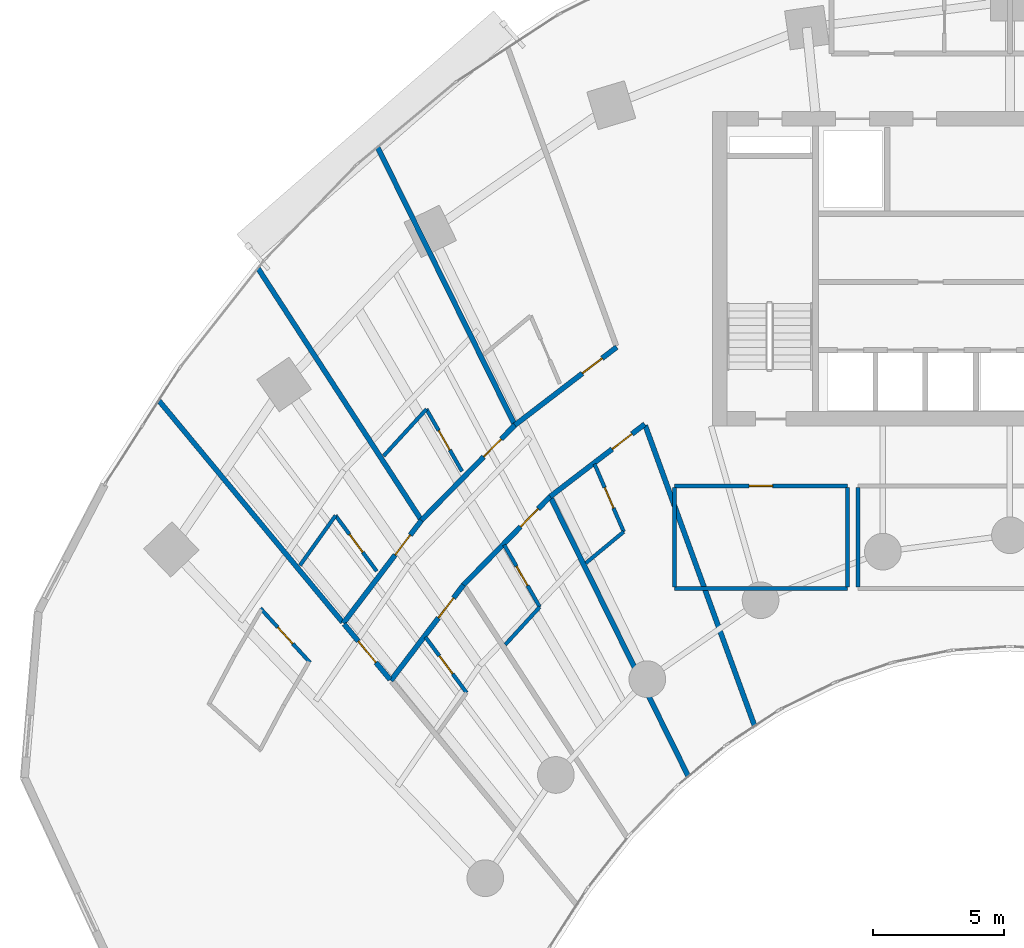
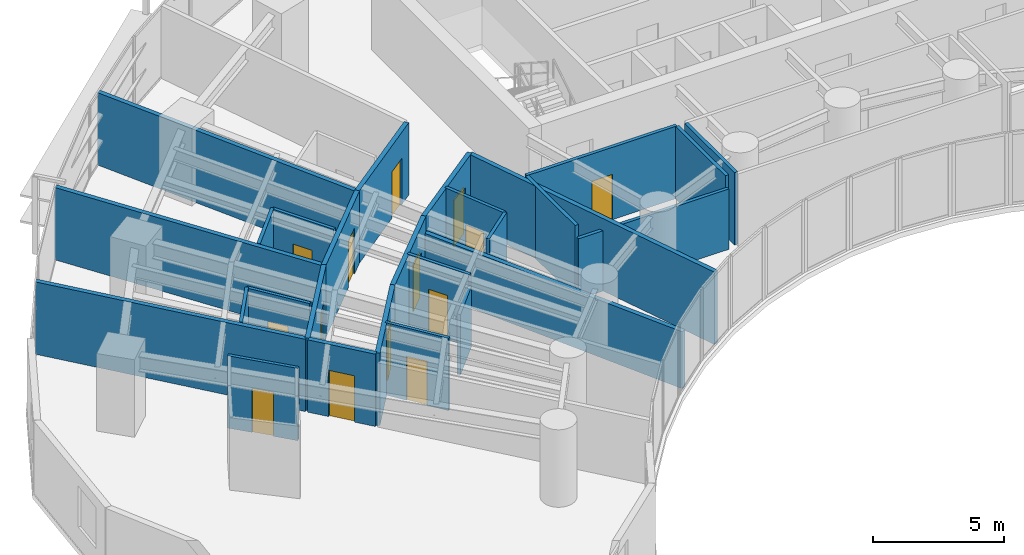
# One storey, part 11 of 18: 27 walls, 14 doors, 14 openings.
"""IFC4 building model written with IfcOpenShell, lengths in metres."""

from ifc_helpers import new_model, si_unit, direction, frame, frame_2d, origin, place, context, subcontext, project, spatial, rectangle, extrude, source, transform, mapped, material, layer, layer_set, type_object, type_shapes, element, fill, save


model = new_model("IFC4")

# Units and contexts
model_context = context("Model", 3, precision=1e-05, world=origin(), true_north=direction((0.0, 1.0)))
body_context = subcontext(model_context, "Body", "Model", "MODEL_VIEW")
ifc_project = project(units=[si_unit("LENGTHUNIT", "METRE"), si_unit("AREAUNIT", "SQUARE_METRE"), si_unit("VOLUMEUNIT", "CUBIC_METRE"), si_unit("PLANEANGLEUNIT", "RADIAN"), si_unit("MASSUNIT", "GRAM", prefix="KILO")], contexts=[model_context])

# Site, building, storey
site_placement = place(None, origin())
site = spatial("IfcSite", under=ifc_project, at=site_placement, CompositionType="ELEMENT")
building_placement = place(site_placement, origin())
building = spatial("IfcBuilding", under=site, at=building_placement, Name="Breltana Convention Tower", CompositionType="ELEMENT")
storey_placement = place(building_placement, frame((0.0, 0.0, 39.0)))
storey = spatial("IfcBuildingStorey", under=building, at=storey_placement, Name="L07", CompositionType="ELEMENT", Elevation=39.0)

# Wall
ifc_material_1 = material(Name="Gypsum Acoustic Drywall Partition")
ifc_layer_1 = layer(ifc_material_1, 0.14990234375, Name="Gypsum Acoustic Drywall Partition")
ifc_layer_set_1 = layer_set([ifc_layer_1], Name="Gypsum Acoustic Drywall Partition")
wall_type_1 = type_object("IfcWallType", Name="WL-PART-150", PredefinedType="PARTITIONING", material=ifc_layer_set_1)
shared_shape_1 = source(origin(), body_context, "Body", "SweptSolid", [
    extrude(rectangle(XDim=6.60009765625, YDim=0.14990234375, at=frame_2d((3.300048828125, 0.0))), origin(), (0.0, 0.0, 1.0), 2.802978515625),
])
wall_1_placement = place(storey_placement, frame((35.199951171875, 54.0, 0.0), z_axis=(0.0, 0.0, 1.0), x_axis=(1.0, 0.0, 0.0)))
element("IfcWall", 1, at=wall_1_placement, inside=storey, type_object=wall_type_1, Name="L07 interior partition W-L07-HSK-S", PredefinedType="PARTITIONING", context=body_context, shape_type="MappedRepresentation", body=[
    mapped(shared_shape_1, transform((0.0, 0.0, 0.0), scale=1.0)),
])

# Wall, opening, door
shared_shape_2 = source(origin(), body_context, "Body", "SweptSolid", [
    extrude(rectangle(XDim=6.60009765625, YDim=0.14990234375, at=frame_2d((3.300048828125, 0.0))), origin(), (0.0, 0.0, 1.0), 3.360107421875),
])
wall_2_placement = place(storey_placement, frame((35.199951171875, 57.919921875, 0.0), z_axis=(0.0, 0.0, 1.0), x_axis=(1.0, 0.0, 0.0)))
wall_2 = element("IfcWall", 2, at=wall_2_placement, inside=storey, type_object=wall_type_1, Name="L07 interior partition W-L07-HSK-N", PredefinedType="PARTITIONING", context=body_context, shape_type="MappedRepresentation", body=[
    mapped(shared_shape_2, transform((0.0, 0.0, 0.0), scale=1.0)),
])
opening_1_placement = place(wall_2_placement, frame((2.85009765625, 0.0, 0.0)))
opening_1 = element("IfcOpeningElement", 3, at=opening_1_placement, cuts=wall_2, Name="Opening D-18", PredefinedType="OPENING", context=body_context, shape_type="SweptSolid", body=[
    extrude(rectangle(XDim=0.89990234375, YDim=2.10009765625, at=frame_2d((0.449951171875, 1.050048828125))), frame((0.0, 0.0849609375, 0.0), z_axis=(0.0, -1.0, 0.0), x_axis=(1.0, 0.0, 0.0)), (0.0, 0.0, 1.0), 0.169921875),
])
ifc_material_2 = material(Name="Steel Riser Fire Door", Category="steel")
door_type_1 = type_object("IfcDoorType", Name="DR-FD60-900", OperationType="NOTDEFINED", PredefinedType="DOOR", material=ifc_material_2)
shared_shape_3 = source(origin(), body_context, "Body", "SweptSolid", [
    extrude(rectangle(XDim=0.89990234375, YDim=2.10009765625, at=frame_2d((0.449951171875, 1.050048828125))), frame((0.0, 0.02490234375, 0.0), z_axis=(0.0, -1.0, 0.0), x_axis=(1.0, 0.0, 0.0)), (0.0, 0.0, 1.0), 0.050048828125),
])
type_shapes(door_type_1, [shared_shape_3])
door_1_placement = place(opening_1_placement, origin())
door_1 = element("IfcDoor", 4, at=door_1_placement, inside=storey, type_object=door_type_1, Name="L07 interior door D-L07-HSK", OperationType="SINGLE_SWING_LEFT", OverallHeight=2.10009765625, OverallWidth=0.89990234375, PredefinedType="DOOR", context=body_context, shape_type="MappedRepresentation", body=[
    mapped(shared_shape_3, transform((0.0, 0.0, 0.0), scale=1.0)),
])
fill(opening_1, door_1)

# Walls
shared_shape_4 = source(origin(), body_context, "Body", "SweptSolid", [
    extrude(rectangle(XDim=3.78515625, YDim=0.14990234375, at=frame_2d((1.892578125, 0.0))), origin(), (0.0, 0.0, 1.0), 3.360107421875),
])
for number, where, z_axis, x_axis, name in (
    (5, (35.199951171875, 54.0673828125, 0.0), (0.0, 0.0, 1.0), (0.0, 1.0, 0.0), "L07 interior partition W-L07-HSK-W"),
    (6, (41.800048828125, 54.0673828125, 0.0), (0.0, 0.0, 1.0), (0.0, 1.0, 0.0), "L07 interior partition W-L07-HSK-E"),
    (7, (42.199951171875, 54.0673828125, 0.0), (0.0, 0.0, 1.0), (0.0, 1.0, 0.0), "L07 interior partition W-L07-HLG-W"),
):
    element("IfcWall", number, at=place(storey_placement, frame(where, z_axis=z_axis, x_axis=x_axis)), inside=storey, type_object=wall_type_1, Name=name, PredefinedType="PARTITIONING", context=body_context, shape_type="MappedRepresentation", body=[
        mapped(shared_shape_4, transform((0.0, 0.0, 0.0), scale=1.0)),
    ])

# Wall, opening, door
ifc_material_3 = material(Name="Gypsum Acoustic Hotel Wall")
ifc_layer_2 = layer(ifc_material_3, 0.195068359375, Name="Gypsum Acoustic Hotel Wall")
ifc_layer_set_2 = layer_set([ifc_layer_2], Name="Gypsum Acoustic Hotel Wall")
wall_type_2 = type_object("IfcWallType", Name="WL-HOTEL-200", PredefinedType="PARTITIONING", material=ifc_layer_set_2)
shared_shape_5 = source(origin(), body_context, "Body", "SweptSolid", [
    extrude(rectangle(XDim=4.927734375, YDim=0.195068359375, at=frame_2d((2.4638671875, 0.0))), origin(), (0.0, 0.0, 1.0), 3.360107421875),
])
wall_3_placement = place(storey_placement, frame((22.569580078125, 52.682861328125, 0.0), z_axis=(0.0, 0.0, 1.0), x_axis=(0.604793043708, 0.796382680803, 0.0)))
wall_3 = element("IfcWall", 8, at=wall_3_placement, inside=storey, type_object=wall_type_2, Name="L07 interior partition W-L07-HK01-COR", PredefinedType="PARTITIONING", context=body_context, shape_type="MappedRepresentation", body=[
    mapped(shared_shape_5, transform((0.0, 0.0, 0.0), scale=1.0)),
])
opening_2_placement = place(wall_3_placement, frame((3.27001953125, 0.0, 0.0)))
opening_2 = element("IfcOpeningElement", 9, at=opening_2_placement, cuts=wall_3, Name="Opening D-14", PredefinedType="OPENING", context=body_context, shape_type="SweptSolid", body=[
    extrude(rectangle(XDim=0.949951171875, YDim=2.14990234375, at=frame_2d((0.47509765625, 1.074951171875))), frame((0.0, 0.107421875, 0.0), z_axis=(0.0, -1.0, 0.0), x_axis=(1.0, 0.0, 0.0)), (0.0, 0.0, 1.0), 0.215087890625),
])
ifc_material_4 = material(Name="Timber Solid-Core Fire Door", Category="wood")
door_type_2 = type_object("IfcDoorType", Name="DR-FD60-950", OperationType="NOTDEFINED", PredefinedType="DOOR", material=ifc_material_4)
shared_shape_6 = source(origin(), body_context, "Body", "SweptSolid", [
    extrude(rectangle(XDim=0.949951171875, YDim=2.14990234375, at=frame_2d((0.47509765625, 1.074951171875))), frame((0.0, 0.02490234375, 0.0), z_axis=(0.0, -1.0, 0.0), x_axis=(1.0, 0.0, 0.0)), (0.0, 0.0, 1.0), 0.050048828125),
])
type_shapes(door_type_2, [shared_shape_6])
door_2_placement = place(opening_2_placement, origin())
door_2 = element("IfcDoor", 10, at=door_2_placement, inside=storey, type_object=door_type_2, Name="L07 interior door D-L07-HK01", OperationType="SINGLE_SWING_RIGHT", OverallHeight=2.14990234375, OverallWidth=0.949951171875, PredefinedType="DOOR", context=body_context, shape_type="MappedRepresentation", body=[
    mapped(shared_shape_6, transform((0.0, 0.0, 0.0), scale=1.0)),
])
fill(opening_2, door_2)

# Walls
shared_shape_7 = source(origin(), body_context, "Body", "SweptSolid", [
    extrude(rectangle(XDim=10.974609375, YDim=0.195068359375, at=frame_2d((5.4873046875, 0.0))), origin(), (0.0, 0.0, 1.0), 3.360107421875),
])
wall_4_placement = place(storey_placement, frame((22.539794921875, 52.71875, 0.0), z_axis=(0.0, 0.0, 1.0), x_axis=(-0.638125265812, 0.769932558821, 0.0)))
element("IfcWall", 11, at=wall_4_placement, inside=storey, type_object=wall_type_2, Name="L07 interior partition W-L07-HK01-RA", PredefinedType="PARTITIONING", context=body_context, shape_type="MappedRepresentation", body=[
    mapped(shared_shape_7, transform((0.0, 0.0, 0.0), scale=1.0)),
])
shared_shape_8 = source(origin(), body_context, "Body", "SweptSolid", [
    extrude(rectangle(XDim=11.402587890625, YDim=0.195068359375, at=frame_2d((5.701171875, 0.0))), origin(), (0.0, 0.0, 1.0), 3.360107421875),
])
wall_5_placement = place(storey_placement, frame((25.5234375, 56.6474609375, 0.0), z_axis=(0.0, 0.0, 1.0), x_axis=(-0.544246090008, 0.838925618581, 0.0)))
element("IfcWall", 12, at=wall_5_placement, inside=storey, type_object=wall_type_2, Name="L07 interior partition W-L07-HK01-RB", PredefinedType="PARTITIONING", context=body_context, shape_type="MappedRepresentation", body=[
    mapped(shared_shape_8, transform((0.0, 0.0, 0.0), scale=1.0)),
])
ifc_material_5 = material(Name="Moisture-Resistant En-Suite Partition")
ifc_layer_3 = layer(ifc_material_5, 0.139892578125, Name="Moisture-Resistant En-Suite Partition")
ifc_layer_set_3 = layer_set([ifc_layer_3], Name="Moisture-Resistant En-Suite Partition")
wall_type_3 = type_object("IfcWallType", Name="WL-WET-150", PredefinedType="PARTITIONING", material=ifc_layer_set_3)
shared_shape_9 = source(origin(), body_context, "Body", "SweptSolid", [
    extrude(rectangle(XDim=2.33740234375, YDim=0.139892578125, at=frame_2d((1.168701171875, 0.0))), origin(), (0.0, 0.0, 1.0), 3.360107421875),
])
wall_6_placement = place(storey_placement, frame((20.9150390625, 54.88623046875, 0.0), z_axis=(0.0, 0.0, 1.0), x_axis=(0.580862665959, 0.814001574504, 0.0)))
element("IfcWall", 13, at=wall_6_placement, inside=storey, type_object=wall_type_3, Name="L07 interior partition W-L07-HK01E-BK", PredefinedType="PARTITIONING", context=body_context, shape_type="MappedRepresentation", body=[
    mapped(shared_shape_9, transform((0.0, 0.0, 0.0), scale=1.0)),
])

# Wall, opening, door
shared_shape_10 = source(origin(), body_context, "Body", "SweptSolid", [
    extrude(rectangle(XDim=2.639892578125, YDim=0.139892578125, at=frame_2d((1.31982421875, 0.0))), origin(), (0.0, 0.0, 1.0), 3.360107421875),
])
wall_7_placement = place(storey_placement, frame((23.842529296875, 54.666259765625, 0.0), z_axis=(0.0, 0.0, 1.0), x_axis=(-0.594630255283, 0.803999290735, 0.0)))
wall_7 = element("IfcWall", 14, at=wall_7_placement, inside=storey, type_object=wall_type_3, Name="L07 interior partition W-L07-HK01E-SD", PredefinedType="PARTITIONING", context=body_context, shape_type="MappedRepresentation", body=[
    mapped(shared_shape_10, transform((0.0, 0.0, 0.0), scale=1.0)),
])
opening_3_placement = place(wall_7_placement, frame((0.89501953125, 0.0, 0.0)))
opening_3 = element("IfcOpeningElement", 15, at=opening_3_placement, cuts=wall_7, Name="Opening D-21", PredefinedType="OPENING", context=body_context, shape_type="SweptSolid", body=[
    extrude(rectangle(XDim=0.85009765625, YDim=2.050048828125, at=frame_2d((0.425048828125, 1.02490234375))), frame((0.0, 0.080078125, 0.0), z_axis=(0.0, -1.0, 0.0), x_axis=(1.0, 0.0, 0.0)), (0.0, 0.0, 1.0), 0.159912109375),
])
ifc_material_6 = material(Name="Timber Moisture-Resistant En-Suite Door", Category="wood")
door_type_3 = type_object("IfcDoorType", Name="DR-WET-850", OperationType="NOTDEFINED", PredefinedType="DOOR", material=ifc_material_6)
shared_shape_11 = source(origin(), body_context, "Body", "SweptSolid", [
    extrude(rectangle(XDim=0.85009765625, YDim=2.050048828125, at=frame_2d((0.425048828125, 1.02490234375))), frame((0.0, 0.02490234375, 0.0), z_axis=(0.0, -1.0, 0.0), x_axis=(1.0, 0.0, 0.0)), (0.0, 0.0, 1.0), 0.050048828125),
])
type_shapes(door_type_3, [shared_shape_11])
door_3_placement = place(opening_3_placement, origin())
door_3 = element("IfcDoor", 16, at=door_3_placement, inside=storey, type_object=door_type_3, Name="L07 interior door D-L07-HK01E", OperationType="SINGLE_SWING_LEFT", OverallHeight=2.050048828125, OverallWidth=0.85009765625, PredefinedType="DOOR", context=body_context, shape_type="MappedRepresentation", body=[
    mapped(shared_shape_11, transform((0.0, 0.0, 0.0), scale=1.0)),
])
fill(opening_3, door_3)

wall_8_placement = place(storey_placement, frame((27.2705078125, 50.031005859375, 0.0), z_axis=(0.0, 0.0, 1.0), x_axis=(-0.594674469522, 0.803966588422, 0.0)))
wall_8 = element("IfcWall", 17, at=wall_8_placement, inside=storey, type_object=wall_type_3, Name="L07 interior partition W-L07-HK02E-SD", PredefinedType="PARTITIONING", context=body_context, shape_type="MappedRepresentation", body=[
    mapped(shared_shape_10, transform((0.0, 0.0, 0.0), scale=1.0)),
])
opening_4_placement = place(wall_8_placement, frame((0.89501953125, 0.0, 0.0)))
opening_4 = element("IfcOpeningElement", 18, at=opening_4_placement, cuts=wall_8, Name="Opening D-21", PredefinedType="OPENING", context=body_context, shape_type="SweptSolid", body=[
    extrude(rectangle(XDim=0.85009765625, YDim=2.050048828125, at=frame_2d((0.425048828125, 1.02490234375))), frame((0.0, 0.080078125, 0.0), z_axis=(0.0, -1.0, 0.0), x_axis=(1.0, 0.0, 0.0)), (0.0, 0.0, 1.0), 0.159912109375),
])
door_4_placement = place(opening_4_placement, origin())
door_4 = element("IfcDoor", 19, at=door_4_placement, inside=storey, type_object=door_type_3, Name="L07 interior door D-L07-HK02E", OperationType="SINGLE_SWING_LEFT", OverallHeight=2.050048828125, OverallWidth=0.85009765625, PredefinedType="DOOR", context=body_context, shape_type="MappedRepresentation", body=[
    mapped(shared_shape_11, transform((0.0, 0.0, 0.0), scale=1.0)),
])
fill(opening_4, door_4)

shared_shape_12 = source(origin(), body_context, "Body", "SweptSolid", [
    extrude(rectangle(XDim=4.576171875, YDim=0.195068359375, at=frame_2d((2.2880859375, 0.0))), origin(), (0.0, 0.0, 1.0), 3.360107421875),
])
wall_9_placement = place(storey_placement, frame((24.3828125, 50.4951171875, 0.0), z_axis=(0.0, 0.0, 1.0), x_axis=(0.604795096156, 0.796381122118, 0.0)))
wall_9 = element("IfcWall", 20, at=wall_9_placement, inside=storey, type_object=wall_type_2, Name="L07 interior partition W-L07-HK02-COR", PredefinedType="PARTITIONING", context=body_context, shape_type="MappedRepresentation", body=[
    mapped(shared_shape_12, transform((0.0, 0.0, 0.0), scale=1.0)),
])
opening_5_placement = place(wall_9_placement, frame((3.002685546875, 0.0, 0.0)))
opening_5 = element("IfcOpeningElement", 21, at=opening_5_placement, cuts=wall_9, Name="Opening D-14", PredefinedType="OPENING", context=body_context, shape_type="SweptSolid", body=[
    extrude(rectangle(XDim=0.949951171875, YDim=2.14990234375, at=frame_2d((0.47509765625, 1.074951171875))), frame((0.0, 0.107421875, 0.0), z_axis=(0.0, -1.0, 0.0), x_axis=(1.0, 0.0, 0.0)), (0.0, 0.0, 1.0), 0.215087890625),
])
door_5_placement = place(opening_5_placement, origin())
door_5 = element("IfcDoor", 22, at=door_5_placement, inside=storey, type_object=door_type_2, Name="L07 interior door D-L07-HK02", OperationType="SINGLE_SWING_RIGHT", OverallHeight=2.14990234375, OverallWidth=0.949951171875, PredefinedType="DOOR", context=body_context, shape_type="MappedRepresentation", body=[
    mapped(shared_shape_6, transform((0.0, 0.0, 0.0), scale=1.0)),
])
fill(opening_5, door_5)

shared_shape_13 = source(origin(), body_context, "Body", "SweptSolid", [
    extrude(rectangle(XDim=5.0869140625, YDim=0.195068359375, at=frame_2d((2.54345703125, 0.0))), origin(), (0.0, 0.0, 1.0), 3.360107421875),
])
wall_10_placement = place(storey_placement, frame((25.5498046875, 56.607177734375, 0.0), z_axis=(0.0, 0.0, 1.0), x_axis=(0.700428330775, 0.7137227427, 0.0)))
wall_10 = element("IfcWall", 23, at=wall_10_placement, inside=storey, type_object=wall_type_2, Name="L07 interior partition W-L07-HK03-COR", PredefinedType="PARTITIONING", context=body_context, shape_type="MappedRepresentation", body=[
    mapped(shared_shape_13, transform((0.0, 0.0, 0.0), scale=1.0)),
])
opening_6_placement = place(wall_10_placement, frame((3.39111328125, 0.0, 0.0)))
opening_6 = element("IfcOpeningElement", 24, at=opening_6_placement, cuts=wall_10, Name="Opening D-14", PredefinedType="OPENING", context=body_context, shape_type="SweptSolid", body=[
    extrude(rectangle(XDim=0.949951171875, YDim=2.14990234375, at=frame_2d((0.47509765625, 1.074951171875))), frame((0.0, 0.107421875, 0.0), z_axis=(0.0, -1.0, 0.0), x_axis=(1.0, 0.0, 0.0)), (0.0, 0.0, 1.0), 0.215087890625),
])
door_6_placement = place(opening_6_placement, origin())
door_6 = element("IfcDoor", 25, at=door_6_placement, inside=storey, type_object=door_type_2, Name="L07 interior door D-L07-HK03", OperationType="SINGLE_SWING_RIGHT", OverallHeight=2.14990234375, OverallWidth=0.949951171875, PredefinedType="DOOR", context=body_context, shape_type="MappedRepresentation", body=[
    mapped(shared_shape_6, transform((0.0, 0.0, 0.0), scale=1.0)),
])
fill(opening_6, door_6)

# Walls
shared_shape_14 = source(origin(), body_context, "Body", "SweptSolid", [
    extrude(rectangle(XDim=11.769775390625, YDim=0.195068359375, at=frame_2d((5.884765625, 0.0))), origin(), (0.0, 0.0, 1.0), 3.360107421875),
])
wall_11_placement = place(storey_placement, frame((29.090576171875, 60.282470703125, 0.0), z_axis=(0.0, 0.0, 1.0), x_axis=(-0.44286060326, 0.896590478468, 0.0)))
element("IfcWall", 26, at=wall_11_placement, inside=storey, type_object=wall_type_2, Name="L07 interior partition W-L07-HK03-RB", PredefinedType="PARTITIONING", context=body_context, shape_type="MappedRepresentation", body=[
    mapped(shared_shape_14, transform((0.0, 0.0, 0.0), scale=1.0)),
])
shared_shape_15 = source(origin(), body_context, "Body", "SweptSolid", [
    extrude(rectangle(XDim=2.415771484375, YDim=0.139892578125, at=frame_2d((1.2080078125, 0.0))), origin(), (0.0, 0.0, 1.0), 3.360107421875),
])
wall_12_placement = place(storey_placement, frame((24.10791015625, 59.064208984375, 0.0), z_axis=(0.0, 0.0, 1.0), x_axis=(0.675399637907, 0.737451916476, 0.0)))
element("IfcWall", 27, at=wall_12_placement, inside=storey, type_object=wall_type_3, Name="L07 interior partition W-L07-HK03E-BK", PredefinedType="PARTITIONING", context=body_context, shape_type="MappedRepresentation", body=[
    mapped(shared_shape_15, transform((0.0, 0.0, 0.0), scale=1.0)),
])

# Wall, opening, door
shared_shape_16 = source(origin(), body_context, "Body", "SweptSolid", [
    extrude(rectangle(XDim=2.731689453125, YDim=0.139892578125, at=frame_2d((1.36572265625, 0.0))), origin(), (0.0, 0.0, 1.0), 3.360107421875),
])
wall_13_placement = place(storey_placement, frame((27.097900390625, 58.4755859375, 0.0), z_axis=(0.0, 0.0, 1.0), x_axis=(-0.497254966372, 0.867604459658, 0.0)))
wall_13 = element("IfcWall", 28, at=wall_13_placement, inside=storey, type_object=wall_type_3, Name="L07 interior partition W-L07-HK03E-SD", PredefinedType="PARTITIONING", context=body_context, shape_type="MappedRepresentation", body=[
    mapped(shared_shape_16, transform((0.0, 0.0, 0.0), scale=1.0)),
])
opening_7_placement = place(wall_13_placement, frame((0.94091796875, 0.0, 0.0)))
opening_7 = element("IfcOpeningElement", 29, at=opening_7_placement, cuts=wall_13, Name="Opening D-21", PredefinedType="OPENING", context=body_context, shape_type="SweptSolid", body=[
    extrude(rectangle(XDim=0.85009765625, YDim=2.050048828125, at=frame_2d((0.425048828125, 1.02490234375))), frame((0.0, 0.080078125, 0.0), z_axis=(0.0, -1.0, 0.0), x_axis=(1.0, 0.0, 0.0)), (0.0, 0.0, 1.0), 0.159912109375),
])
door_7_placement = place(opening_7_placement, origin())
door_7 = element("IfcDoor", 30, at=door_7_placement, inside=storey, type_object=door_type_3, Name="L07 interior door D-L07-HK03E", OperationType="SINGLE_SWING_LEFT", OverallHeight=2.050048828125, OverallWidth=0.85009765625, PredefinedType="DOOR", context=body_context, shape_type="MappedRepresentation", body=[
    mapped(shared_shape_11, transform((0.0, 0.0, 0.0), scale=1.0)),
])
fill(opening_7, door_7)

shared_shape_17 = source(origin(), body_context, "Body", "SweptSolid", [
    extrude(rectangle(XDim=4.724365234375, YDim=0.195068359375, at=frame_2d((2.3623046875, 0.0))), origin(), (0.0, 0.0, 1.0), 3.360107421875),
])
wall_14_placement = place(storey_placement, frame((27.150390625, 54.139404296875, 0.0), z_axis=(0.0, 0.0, 1.0), x_axis=(0.700435057457, 0.713716141253, 0.0)))
wall_14 = element("IfcWall", 31, at=wall_14_placement, inside=storey, type_object=wall_type_2, Name="L07 interior partition W-L07-HK04-COR", PredefinedType="PARTITIONING", context=body_context, shape_type="MappedRepresentation", body=[
    mapped(shared_shape_17, transform((0.0, 0.0, 0.0), scale=1.0)),
])
opening_8_placement = place(wall_14_placement, frame((3.115478515625, 0.0, 0.0)))
opening_8 = element("IfcOpeningElement", 32, at=opening_8_placement, cuts=wall_14, Name="Opening D-14", PredefinedType="OPENING", context=body_context, shape_type="SweptSolid", body=[
    extrude(rectangle(XDim=0.949951171875, YDim=2.14990234375, at=frame_2d((0.47509765625, 1.074951171875))), frame((0.0, 0.107421875, 0.0), z_axis=(0.0, -1.0, 0.0), x_axis=(1.0, 0.0, 0.0)), (0.0, 0.0, 1.0), 0.215087890625),
])
door_8_placement = place(opening_8_placement, origin())
door_8 = element("IfcDoor", 33, at=door_8_placement, inside=storey, type_object=door_type_2, Name="L07 interior door D-L07-HK04", OperationType="SINGLE_SWING_RIGHT", OverallHeight=2.14990234375, OverallWidth=0.949951171875, PredefinedType="DOOR", context=body_context, shape_type="MappedRepresentation", body=[
    mapped(shared_shape_6, transform((0.0, 0.0, 0.0), scale=1.0)),
])
fill(opening_8, door_8)

# Wall
shared_shape_18 = source(origin(), body_context, "Body", "SweptSolid", [
    extrude(rectangle(XDim=11.843505859375, YDim=0.195068359375, at=frame_2d((5.921875, 0.0))), origin(), (0.0, 0.0, 1.0), 2.64404296875),
])
wall_15_placement = place(storey_placement, frame((35.7265625, 46.847900390625, 0.0), z_axis=(0.0, 0.0, 1.0), x_axis=(-0.442871152218, 0.896585267854, 0.0)))
element("IfcWall", 34, at=wall_15_placement, inside=storey, type_object=wall_type_2, Name="L07 interior partition W-L07-HK04-RB", PredefinedType="PARTITIONING", context=body_context, shape_type="MappedRepresentation", body=[
    mapped(shared_shape_18, transform((0.0, 0.0, 0.0), scale=1.0)),
])

# Wall, opening, door
shared_shape_19 = source(origin(), body_context, "Body", "SweptSolid", [
    extrude(rectangle(XDim=2.7314453125, YDim=0.139892578125, at=frame_2d((1.36572265625, 0.0))), origin(), (0.0, 0.0, 1.0), 3.360107421875),
])
wall_16_placement = place(storey_placement, frame((30.063720703125, 53.2998046875, 0.0), z_axis=(0.0, 0.0, 1.0), x_axis=(-0.497120404056, 0.867681568244, 0.0)))
wall_16 = element("IfcWall", 35, at=wall_16_placement, inside=storey, type_object=wall_type_3, Name="L07 interior partition W-L07-HK04E-SD", PredefinedType="PARTITIONING", context=body_context, shape_type="MappedRepresentation", body=[
    mapped(shared_shape_19, transform((0.0, 0.0, 0.0), scale=1.0)),
])
opening_9_placement = place(wall_16_placement, frame((0.94091796875, 0.0, 0.0)))
opening_9 = element("IfcOpeningElement", 36, at=opening_9_placement, cuts=wall_16, Name="Opening D-21", PredefinedType="OPENING", context=body_context, shape_type="SweptSolid", body=[
    extrude(rectangle(XDim=0.85009765625, YDim=2.050048828125, at=frame_2d((0.425048828125, 1.02490234375))), frame((0.0, 0.080078125, 0.0), z_axis=(0.0, -1.0, 0.0), x_axis=(1.0, 0.0, 0.0)), (0.0, 0.0, 1.0), 0.159912109375),
])
door_9_placement = place(opening_9_placement, origin())
door_9 = element("IfcDoor", 37, at=door_9_placement, inside=storey, type_object=door_type_3, Name="L07 interior door D-L07-HK04E", OperationType="SINGLE_SWING_LEFT", OverallHeight=2.050048828125, OverallWidth=0.85009765625, PredefinedType="DOOR", context=body_context, shape_type="MappedRepresentation", body=[
    mapped(shared_shape_11, transform((0.0, 0.0, 0.0), scale=1.0)),
])
fill(opening_9, door_9)

shared_shape_20 = source(origin(), body_context, "Body", "SweptSolid", [
    extrude(rectangle(XDim=4.894775390625, YDim=0.195068359375, at=frame_2d((2.447265625, 0.0))), origin(), (0.0, 0.0, 1.0), 3.360107421875),
])
wall_17_placement = place(storey_placement, frame((29.11279296875, 60.23779296875, 0.0), z_axis=(0.0, 0.0, 1.0), x_axis=(0.793896075849, 0.608053468661, 0.0)))
wall_17 = element("IfcWall", 38, at=wall_17_placement, inside=storey, type_object=wall_type_2, Name="L07 interior partition W-L07-HK05-COR", PredefinedType="PARTITIONING", context=body_context, shape_type="MappedRepresentation", body=[
    mapped(shared_shape_20, transform((0.0, 0.0, 0.0), scale=1.0)),
])
opening_10_placement = place(wall_17_placement, frame((3.2451171875, 0.0, 0.0)))
opening_10 = element("IfcOpeningElement", 39, at=opening_10_placement, cuts=wall_17, Name="Opening D-14", PredefinedType="OPENING", context=body_context, shape_type="SweptSolid", body=[
    extrude(rectangle(XDim=0.949951171875, YDim=2.14990234375, at=frame_2d((0.47509765625, 1.074951171875))), frame((0.0, 0.107421875, 0.0), z_axis=(0.0, -1.0, 0.0), x_axis=(1.0, 0.0, 0.0)), (0.0, 0.0, 1.0), 0.215087890625),
])
door_10_placement = place(opening_10_placement, origin())
door_10 = element("IfcDoor", 40, at=door_10_placement, inside=storey, type_object=door_type_2, Name="L07 interior door D-L07-HK05", OperationType="SINGLE_SWING_RIGHT", OverallHeight=2.14990234375, OverallWidth=0.949951171875, PredefinedType="DOOR", context=body_context, shape_type="MappedRepresentation", body=[
    mapped(shared_shape_6, transform((0.0, 0.0, 0.0), scale=1.0)),
])
fill(opening_10, door_10)

shared_shape_21 = source(origin(), body_context, "Body", "SweptSolid", [
    extrude(rectangle(XDim=4.546142578125, YDim=0.195068359375, at=frame_2d((2.27294921875, 0.0))), origin(), (0.0, 0.0, 1.0), 3.360107421875),
])
wall_18_placement = place(storey_placement, frame((30.45947265625, 57.51123046875, 0.0), z_axis=(0.0, 0.0, 1.0), x_axis=(0.793907931297, 0.608037989457, 0.0)))
wall_18 = element("IfcWall", 41, at=wall_18_placement, inside=storey, type_object=wall_type_2, Name="L07 interior partition W-L07-HK06-COR", PredefinedType="PARTITIONING", context=body_context, shape_type="MappedRepresentation", body=[
    mapped(shared_shape_21, transform((0.0, 0.0, 0.0), scale=1.0)),
])
opening_11_placement = place(wall_18_placement, frame((2.97998046875, 0.0, 0.0)))
opening_11 = element("IfcOpeningElement", 42, at=opening_11_placement, cuts=wall_18, Name="Opening D-14", PredefinedType="OPENING", context=body_context, shape_type="SweptSolid", body=[
    extrude(rectangle(XDim=0.949951171875, YDim=2.14990234375, at=frame_2d((0.47509765625, 1.074951171875))), frame((0.0, 0.107421875, 0.0), z_axis=(0.0, -1.0, 0.0), x_axis=(1.0, 0.0, 0.0)), (0.0, 0.0, 1.0), 0.215087890625),
])
door_11_placement = place(opening_11_placement, origin())
door_11 = element("IfcDoor", 43, at=door_11_placement, inside=storey, type_object=door_type_2, Name="L07 interior door D-L07-HK06", OperationType="SINGLE_SWING_RIGHT", OverallHeight=2.14990234375, OverallWidth=0.949951171875, PredefinedType="DOOR", context=body_context, shape_type="MappedRepresentation", body=[
    mapped(shared_shape_6, transform((0.0, 0.0, 0.0), scale=1.0)),
])
fill(opening_11, door_11)

# Walls
shared_shape_22 = source(origin(), body_context, "Body", "SweptSolid", [
    extrude(rectangle(XDim=12.1962890625, YDim=0.195068359375, at=frame_2d((6.09814453125, 0.0))), origin(), (0.0, 0.0, 1.0), 3.360107421875),
])
wall_19_placement = place(storey_placement, frame((38.257568359375, 48.766357421875, 0.0), z_axis=(0.0, 0.0, 1.0), x_axis=(-0.342022711534, 0.939691686031, 0.0)))
element("IfcWall", 44, at=wall_19_placement, inside=storey, type_object=wall_type_2, Name="L07 interior partition W-L07-HK06-RB", PredefinedType="PARTITIONING", context=body_context, shape_type="MappedRepresentation", body=[
    mapped(shared_shape_22, transform((0.0, 0.0, 0.0), scale=1.0)),
])
shared_shape_23 = source(origin(), body_context, "Body", "SweptSolid", [
    extrude(rectangle(XDim=1.872802734375, YDim=0.139892578125, at=frame_2d((0.9365234375, 0.0))), origin(), (0.0, 0.0, 1.0), 3.360107421875),
])
wall_20_placement = place(storey_placement, frame((31.82275390625, 54.975830078125, 0.0), z_axis=(0.0, 0.0, 1.0), x_axis=(0.77069451688, 0.637204803537, 0.0)))
element("IfcWall", 45, at=wall_20_placement, inside=storey, type_object=wall_type_3, Name="L07 interior partition W-L07-HK06E-BK", PredefinedType="PARTITIONING", context=body_context, shape_type="MappedRepresentation", body=[
    mapped(shared_shape_23, transform((0.0, 0.0, 0.0), scale=1.0)),
])

# Wall, opening, door
shared_shape_24 = source(origin(), body_context, "Body", "SweptSolid", [
    extrude(rectangle(XDim=2.8173828125, YDim=0.139892578125, at=frame_2d((1.40869140625, 0.0))), origin(), (0.0, 0.0, 1.0), 3.360107421875),
])
wall_21_placement = place(storey_placement, frame((33.26611328125, 56.169189453125, 0.0), z_axis=(0.0, 0.0, 1.0), x_axis=(-0.395999429727, 0.918250756415, 0.0)))
wall_21 = element("IfcWall", 46, at=wall_21_placement, inside=storey, type_object=wall_type_3, Name="L07 interior partition W-L07-HK06E-SD", PredefinedType="PARTITIONING", context=body_context, shape_type="MappedRepresentation", body=[
    mapped(shared_shape_24, transform((0.0, 0.0, 0.0), scale=1.0)),
])
opening_12_placement = place(wall_21_placement, frame((0.98388671875, 0.0, 0.0)))
opening_12 = element("IfcOpeningElement", 47, at=opening_12_placement, cuts=wall_21, Name="Opening D-21", PredefinedType="OPENING", context=body_context, shape_type="SweptSolid", body=[
    extrude(rectangle(XDim=0.85009765625, YDim=2.050048828125, at=frame_2d((0.425048828125, 1.02490234375))), frame((0.0, 0.080078125, 0.0), z_axis=(0.0, -1.0, 0.0), x_axis=(1.0, 0.0, 0.0)), (0.0, 0.0, 1.0), 0.159912109375),
])
door_12_placement = place(opening_12_placement, origin())
door_12 = element("IfcDoor", 48, at=door_12_placement, inside=storey, type_object=door_type_3, Name="L07 interior door D-L07-HK06E", OperationType="SINGLE_SWING_LEFT", OverallHeight=2.050048828125, OverallWidth=0.85009765625, PredefinedType="DOOR", context=body_context, shape_type="MappedRepresentation", body=[
    mapped(shared_shape_11, transform((0.0, 0.0, 0.0), scale=1.0)),
])
fill(opening_12, door_12)

shared_shape_25 = source(origin(), body_context, "Body", "SweptSolid", [
    extrude(rectangle(XDim=2.748291015625, YDim=0.195068359375, at=frame_2d((1.3740234375, 0.0))), origin(), (0.0, 0.0, 1.0), 3.360107421875),
])
wall_22_placement = place(storey_placement, frame((24.35302734375, 50.531005859375, 0.0), z_axis=(0.0, 0.0, 1.0), x_axis=(-0.638111168284, 0.769944242729, 0.0)))
wall_22 = element("IfcWall", 49, at=wall_22_placement, inside=storey, type_object=wall_type_2, Name="L07 interior partition W-L07-CS-W-END", PredefinedType="PARTITIONING", context=body_context, shape_type="MappedRepresentation", body=[
    mapped(shared_shape_25, transform((0.0, 0.0, 0.0), scale=1.0)),
])
opening_13_placement = place(wall_22_placement, frame((0.84912109375, 0.0, 0.0)))
opening_13 = element("IfcOpeningElement", 50, at=opening_13_placement, cuts=wall_22, Name="Opening D-13", PredefinedType="OPENING", context=body_context, shape_type="SweptSolid", body=[
    extrude(rectangle(XDim=1.050048828125, YDim=2.14990234375, at=frame_2d((0.52490234375, 1.074951171875))), frame((0.0, 0.107421875, 0.0), z_axis=(0.0, -1.0, 0.0), x_axis=(1.0, 0.0, 0.0)), (0.0, 0.0, 1.0), 0.215087890625),
])
door_type_4 = type_object("IfcDoorType", Name="DR-FD60-1050", OperationType="NOTDEFINED", PredefinedType="DOOR", material=ifc_material_4)
shared_shape_26 = source(origin(), body_context, "Body", "SweptSolid", [
    extrude(rectangle(XDim=1.050048828125, YDim=2.14990234375, at=frame_2d((0.52490234375, 1.074951171875))), frame((0.0, 0.02490234375, 0.0), z_axis=(0.0, -1.0, 0.0), x_axis=(1.0, 0.0, 0.0)), (0.0, 0.0, 1.0), 0.050048828125),
])
type_shapes(door_type_4, [shared_shape_26])
door_13_placement = place(opening_13_placement, origin())
door_13 = element("IfcDoor", 51, at=door_13_placement, inside=storey, type_object=door_type_4, Name="L07 interior door D-L07-CS-W", OperationType="SINGLE_SWING_RIGHT", OverallHeight=2.14990234375, OverallWidth=1.050048828125, PredefinedType="DOOR", context=body_context, shape_type="MappedRepresentation", body=[
    mapped(shared_shape_26, transform((0.0, 0.0, 0.0), scale=1.0)),
])
fill(opening_13, door_13)

shared_shape_27 = source(origin(), body_context, "Body", "SweptSolid", [
    extrude(rectangle(XDim=2.812255859375, YDim=0.139892578125, at=frame_2d((1.40625, 0.0))), origin(), (0.0, 0.0, 1.0), 3.360107421875),
])
wall_23_placement = place(storey_placement, frame((21.30322265625, 51.176513671875, 0.0), z_axis=(0.0, 0.0, 1.0), x_axis=(-0.675119025852, 0.737708818527, 0.0)))
wall_23 = element("IfcWall", 52, at=wall_23_placement, inside=storey, type_object=wall_type_3, Name="L07 interior partition W-L07-CSENS-W-W", PredefinedType="PARTITIONING", context=body_context, shape_type="MappedRepresentation", body=[
    mapped(shared_shape_27, transform((0.0, 0.0, 0.0), scale=1.0)),
])
opening_14_placement = place(wall_23_placement, frame((0.981201171875, 0.0, 0.0)))
opening_14 = element("IfcOpeningElement", 53, at=opening_14_placement, cuts=wall_23, Name="Opening D-21", PredefinedType="OPENING", context=body_context, shape_type="SweptSolid", body=[
    extrude(rectangle(XDim=0.85009765625, YDim=2.050048828125, at=frame_2d((0.425048828125, 1.02490234375))), frame((0.0, 0.080078125, 0.0), z_axis=(0.0, -1.0, 0.0), x_axis=(1.0, 0.0, 0.0)), (0.0, 0.0, 1.0), 0.159912109375),
])
door_14_placement = place(opening_14_placement, origin())
door_14 = element("IfcDoor", 54, at=door_14_placement, inside=storey, type_object=door_type_3, Name="L07 interior door D-L07-CSENS-W", OperationType="SINGLE_SWING_LEFT", OverallHeight=2.050048828125, OverallWidth=0.85009765625, PredefinedType="DOOR", context=body_context, shape_type="MappedRepresentation", body=[
    mapped(shared_shape_11, transform((0.0, 0.0, 0.0), scale=1.0)),
])
fill(opening_14, door_14)

# Wall
shared_shape_28 = source(origin(), body_context, "Body", "SweptSolid", [
    extrude(rectangle(XDim=1.946533203125, YDim=0.139892578125, at=frame_2d((0.97314453125, 0.0))), origin(), (0.0, 0.0, 1.0), 2.802978515625),
])
wall_24_placement = place(storey_placement, frame((28.7490234375, 51.8642578125, 0.0), z_axis=(0.0, 0.0, 1.0), x_axis=(0.675383794012, 0.737466426888, 0.0)))
element("IfcWall", 55, at=wall_24_placement, inside=storey, type_object=wall_type_3, Name="L07 interior partition W-L07-HK04E-BK", PredefinedType="PARTITIONING", context=body_context, shape_type="MappedRepresentation", body=[
    mapped(shared_shape_28, transform((0.0, 0.0, 0.0), scale=1.0)),
])

save(model, "model.ifc")
